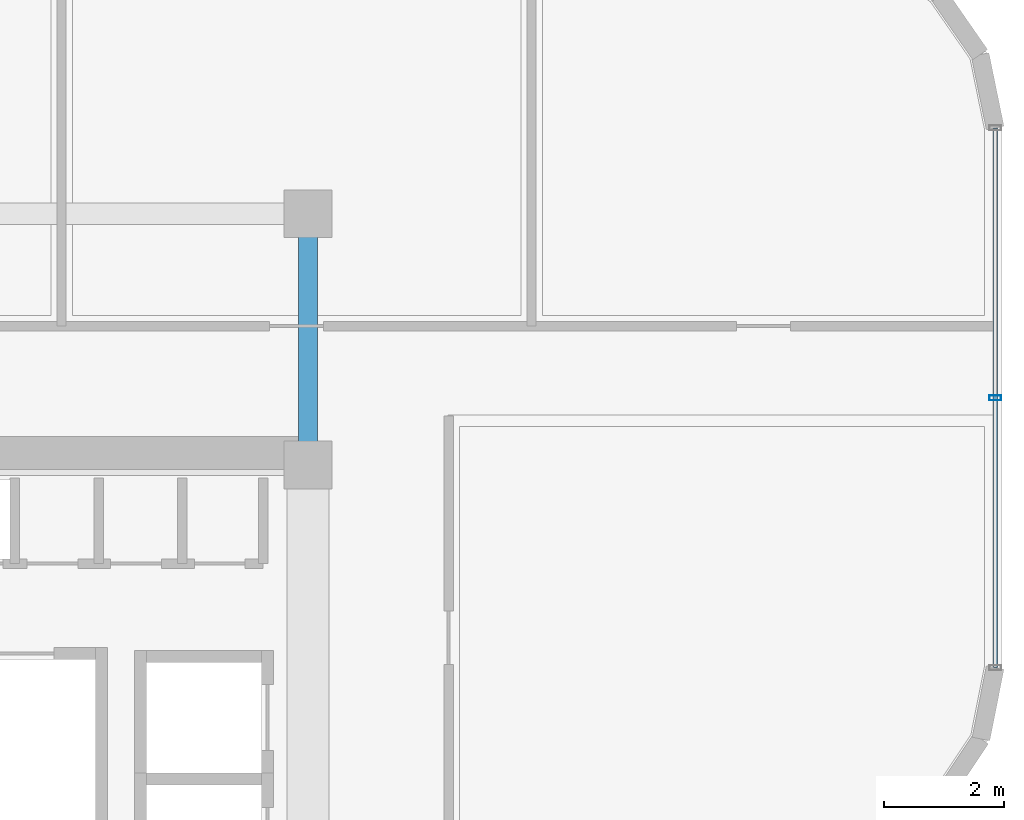
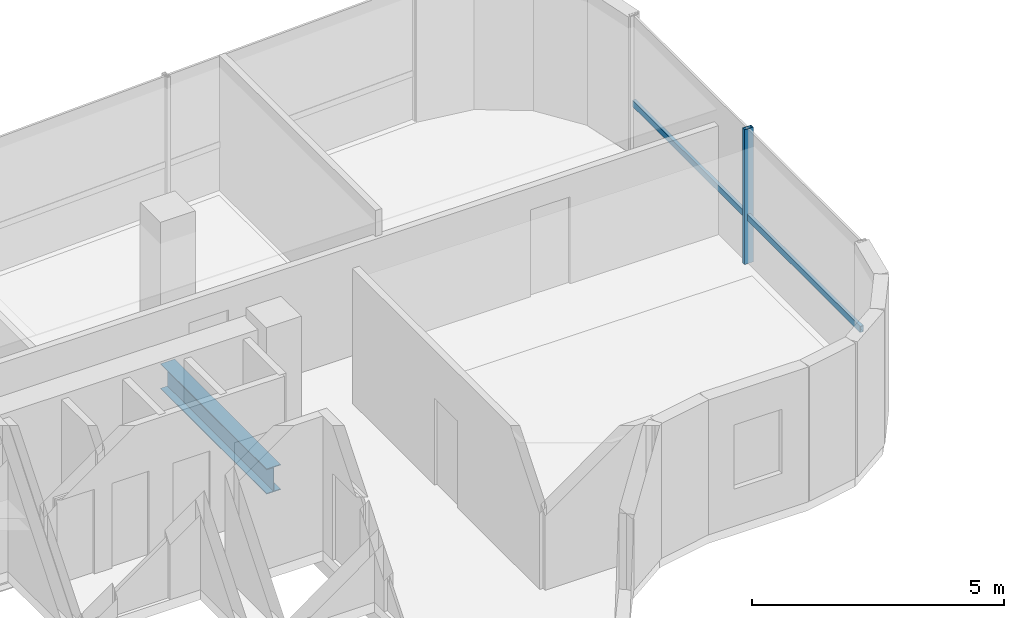
# One storey, part 11 of 21: 2 members, 1 beam, 1 element without a shape of its own.
"""IFC4 building model written with IfcOpenShell, lengths in metres."""

from ifc_helpers import new_model, si_unit, direction, frame, origin, origin_2d, place, context, subcontext, project, spatial, hollow_rectangle, i_section, extrude, source, transform, mapped, material, material_profile, profile_set, type_object, element, aggregate, save


model = new_model("IFC4")

# Units and contexts
model_context = context("Model", 3, precision=1e-05, world=origin(), true_north=direction((0.0, 1.0)))
body_context = subcontext(model_context, "Body", "Model", "MODEL_VIEW")
ifc_project = project(units=[si_unit("LENGTHUNIT", "METRE"), si_unit("AREAUNIT", "SQUARE_METRE"), si_unit("VOLUMEUNIT", "CUBIC_METRE"), si_unit("PLANEANGLEUNIT", "RADIAN"), si_unit("MASSUNIT", "GRAM", prefix="KILO")], contexts=[model_context])

# Site, building, storey
site_placement = place(None, origin())
site = spatial("IfcSite", under=ifc_project, at=site_placement, CompositionType="ELEMENT")
building_placement = place(site_placement, origin())
building = spatial("IfcBuilding", under=site, at=building_placement, Name="Valdorenza Pilgrim Sanctuary Tower", CompositionType="ELEMENT")
storey_placement = place(building_placement, frame((0.0, 0.0, 258.0)))
storey = spatial("IfcBuildingStorey", under=building, at=storey_placement, Name="L67", CompositionType="ELEMENT", Elevation=258.0)

# Beam
ifc_material_1 = material(Name="Steel ASTM A992 Grade 50", Category="steel")
ifc_material_profile_1 = material_profile(ifc_material_1, i_section(OverallWidth=0.323974609375, OverallDepth=0.611083984375, WebThickness=0.0126953125, FlangeThickness=0.01904296875, at=origin_2d()), Name="W24X104")
ifc_profile_set_1 = profile_set([ifc_material_profile_1], Name="Steel ASTM A992 Grade 50")
beam_type = type_object("IfcBeamType", Name="STR-BM-GRD-W24B", PredefinedType="BEAM", material=ifc_profile_set_1)
shared_shape_1 = source(origin(), body_context, "Body", "SweptSolid", [
    extrude(i_section(OverallWidth=0.323974609375, OverallDepth=0.611083984375, WebThickness=0.0126953125, FlangeThickness=0.01904296875, at=origin_2d()), origin(), (0.0, 0.0, 1.0), 4.199951171875),
])
beam_placement = place(storey_placement, frame((-12.39990234375, 10.60009765625, -0.54541015625), z_axis=(0.0, 1.0, 0.0), x_axis=(-1.0, 0.0, 0.0)))
element("IfcBeam", 1, at=beam_placement, inside=storey, type_object=beam_type, Name="L67 Core Tie Girder CA-E-N1N2", PredefinedType="BEAM", context=body_context, shape_type="MappedRepresentation", body=[
    mapped(shared_shape_1, transform((0.0, 0.0, 0.0), x_axis=(1.0, 0.0, 0.0), y_axis=(0.0, 1.0, 0.0), z_axis=(0.0, 0.0, 1.0), scale=1.0)),
])

# Curtain wall, members
ifc_material_2 = material(Name="Curtain-wall IGU glazing", Category="glass")
curtain_wall_type = type_object("IfcCurtainWallType", Name="CW-SYS-02", PredefinedType="NOTDEFINED", material=ifc_material_2)
curtain_wall_placement = place(storey_placement, origin())
curtain_wall = element("IfcCurtainWall", 2, at=curtain_wall_placement, inside=storey, type_object=curtain_wall_type, Name="L67 Curtain Wall CW-L67-1-11", PredefinedType="NOTDEFINED")
ifc_material_3 = material(Name="Anodised aluminium AW-6060", Category="aluminium")
ifc_material_profile_2 = material_profile(ifc_material_3, hollow_rectangle(XDim=0.0849609375, YDim=0.199951171875, WallThickness=0.0048828125, at=origin_2d()), Name="ALU-M 200x85x5")
ifc_profile_set_2 = profile_set([ifc_material_profile_2], Name="Anodised aluminium AW-6060")
member_type_1 = type_object("IfcMemberType", Name="CW-MUL-02", PredefinedType="MULLION", material=ifc_profile_set_2)
shared_shape_2 = source(origin(), body_context, "Body", "SweptSolid", [
    extrude(hollow_rectangle(XDim=0.0849609375, YDim=0.199951171875, WallThickness=0.0048828125, at=origin_2d()), origin(), (0.0, 0.0, 1.0), 3.260009765625),
])
member_1_placement = place(storey_placement, frame((-0.909912109375, 11.72265625, 0.0), z_axis=(0.0, 0.0, 1.0), x_axis=(0.0, -1.0, 0.0)))
member_1 = element("IfcMember", 3, at=member_1_placement, type_object=member_type_1, Name="CW-L67-1-11 Mullion 2", PredefinedType="MULLION", context=body_context, shape_type="MappedRepresentation", body=[
    mapped(shared_shape_2, transform((0.0, 0.0, 0.0), x_axis=(1.0, 0.0, 0.0), y_axis=(0.0, 1.0, 0.0), z_axis=(0.0, 0.0, 1.0), scale=1.0)),
])
ifc_material_profile_3 = material_profile(ifc_material_3, hollow_rectangle(XDim=0.074951171875, YDim=0.14990234375, WallThickness=0.00390625, at=origin_2d()), Name="ALU-T 150x75x4")
ifc_profile_set_3 = profile_set([ifc_material_profile_3], Name="Anodised aluminium AW-6060")
member_type_2 = type_object("IfcMemberType", Name="CW-TRN-02", PredefinedType="USERDEFINED", material=ifc_profile_set_3)
shared_shape_3 = source(origin(), body_context, "Body", "SweptSolid", [
    extrude(hollow_rectangle(XDim=0.074951171875, YDim=0.14990234375, WallThickness=0.00390625, at=origin_2d()), origin(), (0.0, 0.0, 1.0), 9.023681640625),
])
member_2_placement = place(storey_placement, frame((-0.909912109375, 16.234375, 1.1201171875), z_axis=(0.0, -1.0, 0.0), x_axis=(1.0, 0.0, 0.0)))
member_2 = element("IfcMember", 4, at=member_2_placement, type_object=member_type_2, Name="CW-L67-1-11 Transom 1", ObjectType="TRANSOM", PredefinedType="USERDEFINED", context=body_context, shape_type="MappedRepresentation", body=[
    mapped(shared_shape_3, transform((0.0, 0.0, 0.0), x_axis=(1.0, 0.0, 0.0), y_axis=(0.0, 1.0, 0.0), z_axis=(0.0, 0.0, 1.0), scale=1.0)),
])
aggregate(curtain_wall, [member_1, member_2])

save(model, "model.ifc")
